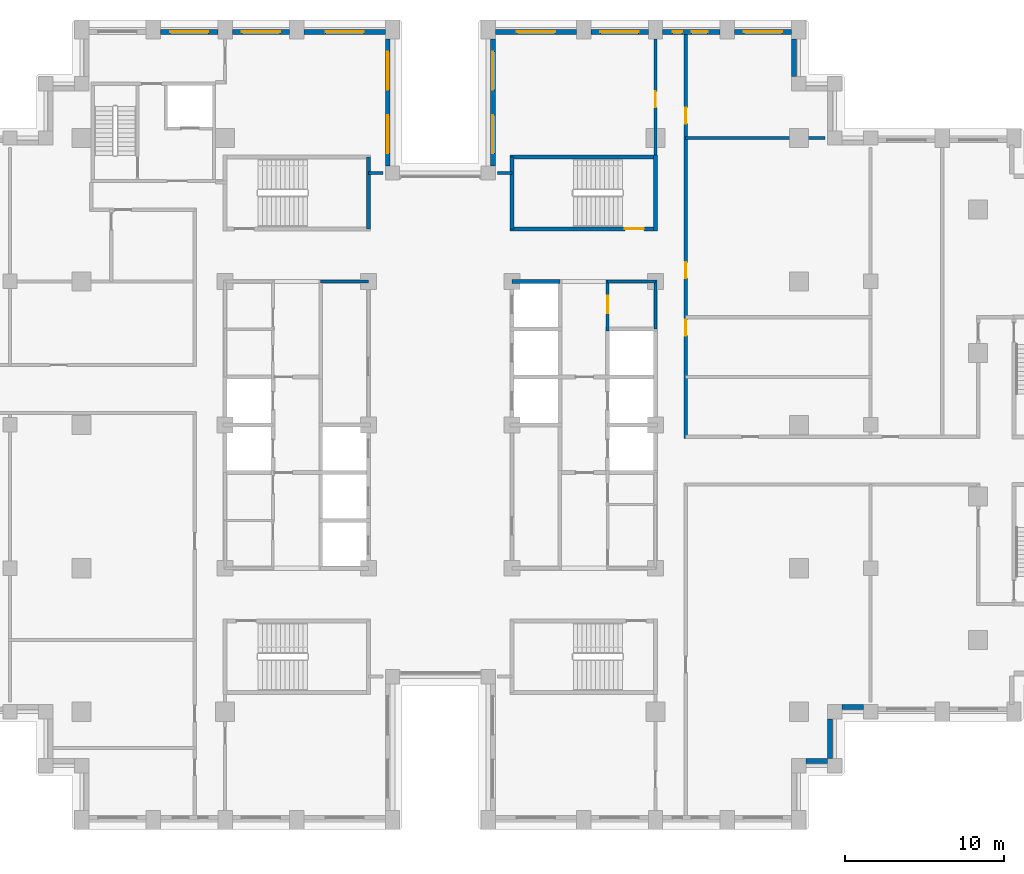
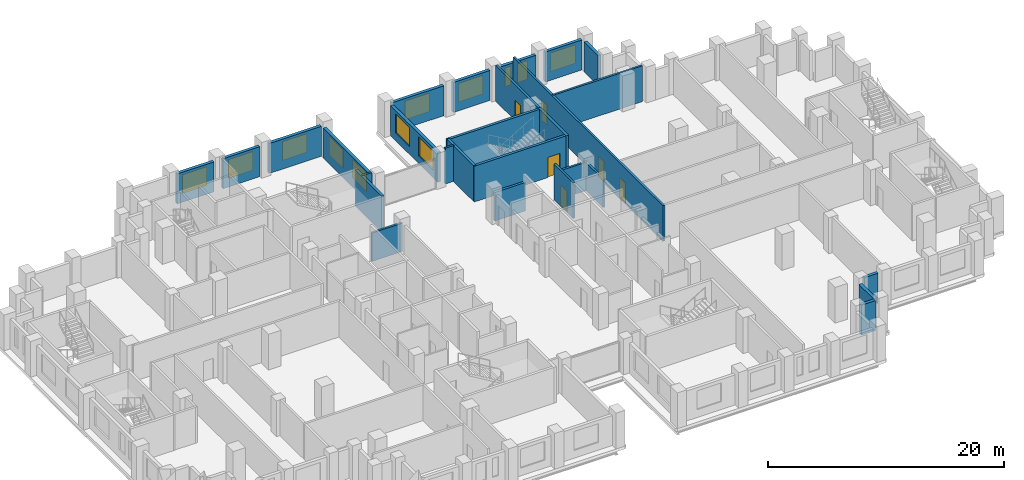
# One storey, part 10 of 15: 28 walls, 12 windows, 6 doors, 18 openings.
"""IFC4 building model written with IfcOpenShell, lengths in metres."""

from ifc_helpers import new_model, si_unit, direction, frame, frame_2d, origin, place, context, subcontext, project, spatial, rectangle, extrude, material, layer, layer_set, type_object, element, fill, save


model = new_model("IFC4")

# Units and contexts
model_context = context("Model", 3, precision=1e-05, world=origin(), true_north=direction((0.0, 1.0)))
body_context = subcontext(model_context, "Body", "Model", "MODEL_VIEW")
ifc_project = project(units=[si_unit("LENGTHUNIT", "METRE"), si_unit("AREAUNIT", "SQUARE_METRE"), si_unit("VOLUMEUNIT", "CUBIC_METRE"), si_unit("PLANEANGLEUNIT", "RADIAN"), si_unit("MASSUNIT", "GRAM", prefix="KILO")], contexts=[model_context])

# Site, building, storey
site_placement = place(None, origin())
site = spatial("IfcSite", under=ifc_project, at=site_placement, CompositionType="ELEMENT")
building_placement = place(site_placement, origin())
building = spatial("IfcBuilding", under=site, at=building_placement, Name="Corbelhall Arena Tower", CompositionType="ELEMENT")
storey_placement = place(building_placement, frame((0.0, 0.0, 80.0)))
storey = spatial("IfcBuildingStorey", under=building, at=storey_placement, Name="L12", CompositionType="ELEMENT", Elevation=80.0)

# Walls
ifc_material_1 = material(Name="Precast concrete C40/50 with granite facing", Category="masonry")
ifc_layer_1 = layer(ifc_material_1, 0.300048828125)
ifc_layer_set_1 = layer_set([ifc_layer_1], Name="EV-IW1 Infill panel 300")
wall_type_1 = type_object("IfcWallType", Name="EV-IW1 Infill panel 300", PredefinedType="SOLIDWALL", material=ifc_layer_set_1)
wall_1_placement = place(storey_placement, frame((22.949951171875, -21.10009765625, 0.0), z_axis=(0.0, 0.0, 1.0), x_axis=(1.0, 0.0, 0.0)))
element("IfcWall", 1, at=wall_1_placement, inside=storey, type_object=wall_type_1, Name="Infill panel IW1", PredefinedType="SOLIDWALL", context=body_context, shape_type="SweptSolid", body=[
    extrude(rectangle(XDim=1.35009765625, YDim=0.300048828125, at=frame_2d((0.675048828125, 0.0))), origin(), (0.0, 0.0, 1.0), 3.10009765625),
])
wall_2_placement = place(storey_placement, frame((24.449951171875, -20.949951171875, 0.0), z_axis=(0.0, 0.0, 1.0), x_axis=(0.0, 1.0, 0.0)))
element("IfcWall", 2, at=wall_2_placement, inside=storey, type_object=wall_type_1, Name="Infill panel IW1", PredefinedType="SOLIDWALL", context=body_context, shape_type="SweptSolid", body=[
    extrude(rectangle(XDim=2.5, YDim=0.300048828125, at=frame_2d((1.25, 0.0))), origin(), (0.0, 0.0, 1.0), 3.10009765625),
])
wall_3_placement = place(storey_placement, frame((25.199951171875, -17.699951171875, 0.0), z_axis=(0.0, 0.0, 1.0), x_axis=(1.0, 0.0, 0.0)))
element("IfcWall", 3, at=wall_3_placement, inside=storey, type_object=wall_type_1, Name="Infill panel IW1", PredefinedType="SOLIDWALL", context=body_context, shape_type="SweptSolid", body=[
    extrude(rectangle(XDim=1.35009765625, YDim=0.300048828125, at=frame_2d((0.675048828125, 0.0))), origin(), (0.0, 0.0, 1.0), 3.10009765625),
])
wall_4_placement = place(storey_placement, frame((22.199951171875, 21.85009765625, 0.0), z_axis=(0.0, 0.0, 1.0), x_axis=(0.0, 1.0, 0.0)))
element("IfcWall", 4, at=wall_4_placement, inside=storey, type_object=wall_type_1, Name="Infill panel IW1", PredefinedType="SOLIDWALL", context=body_context, shape_type="SweptSolid", body=[
    extrude(rectangle(XDim=2.349853515625, YDim=0.300048828125, at=frame_2d((1.1748046875, 0.0))), origin(), (0.0, 0.0, 1.0), 3.10009765625),
])

# Wall, opening, window
wall_5_placement = place(storey_placement, frame((22.050048828125, 24.64990234375, 0.0), z_axis=(0.0, 0.0, 1.0), x_axis=(-1.0, 0.0, 0.0)))
wall_5 = element("IfcWall", 5, at=wall_5_placement, inside=storey, type_object=wall_type_1, Name="Infill panel IW1", PredefinedType="SOLIDWALL", context=body_context, shape_type="SweptSolid", body=[
    extrude(rectangle(XDim=3.60009765625, YDim=0.300048828125, at=frame_2d((1.800048828125, 0.0))), origin(), (0.0, 0.0, 1.0), 3.10009765625),
])
opening_1_placement = place(wall_5_placement, frame((0.60009765625, 0.0, 0.800048828125)))
opening_1 = element("IfcOpeningElement", 6, at=opening_1_placement, cuts=wall_5, Name="Opening WN1", PredefinedType="OPENING", context=body_context, shape_type="SweptSolid", body=[
    extrude(rectangle(XDim=2.39990234375, YDim=1.949951171875, at=frame_2d((1.199951171875, 0.97509765625))), frame((0.0, 0.14990234375, 0.0), z_axis=(0.0, -1.0, 0.0), x_axis=(1.0, 0.0, 0.0)), (0.0, 0.0, 1.0), 0.300048828125),
])
ifc_material_2 = material(Name="Aluminium black anodised", Category="aluminium")
window_type_1 = type_object("IfcWindowType", Name="EV-WN1 Office window", PartitioningType="SINGLE_PANEL", PredefinedType="WINDOW", material=ifc_material_2)
window_1_placement = place(opening_1_placement, origin())
window_1 = element("IfcWindow", 7, at=window_1_placement, inside=storey, type_object=window_type_1, Name="Window WN1", OverallHeight=1.949951171875, OverallWidth=2.39990234375, PartitioningType="SINGLE_PANEL", PredefinedType="WINDOW", context=body_context, shape_type="SweptSolid", body=[
    extrude(rectangle(XDim=2.39990234375, YDim=1.949951171875, at=frame_2d((1.199951171875, 0.97509765625))), frame((0.0, 0.030029296875, 0.0), z_axis=(0.0, -1.0, 0.0), x_axis=(1.0, 0.0, 0.0)), (0.0, 0.0, 1.0), 0.06005859375),
])
fill(opening_1, window_1)

# Wall, openings, windows
wall_6_placement = place(storey_placement, frame((17.550048828125, 24.64990234375, 0.0), z_axis=(0.0, 0.0, 1.0), x_axis=(-1.0, 0.0, 0.0)))
wall_6 = element("IfcWall", 8, at=wall_6_placement, inside=storey, type_object=wall_type_1, Name="Infill panel IW1", PredefinedType="SOLIDWALL", context=body_context, shape_type="SweptSolid", body=[
    extrude(rectangle(XDim=3.60009765625, YDim=0.300048828125, at=frame_2d((1.800048828125, 0.0))), origin(), (0.0, 0.0, 1.0), 3.10009765625),
])
opening_2_placement = place(wall_6_placement, frame((0.77490234375, 0.0, 0.800048828125)))
opening_2 = element("IfcOpeningElement", 9, at=opening_2_placement, cuts=wall_6, Name="Opening WN6", PredefinedType="OPENING", context=body_context, shape_type="SweptSolid", body=[
    extrude(rectangle(XDim=1.0, YDim=1.949951171875, at=frame_2d((0.5, 0.97509765625))), frame((0.0, 0.14990234375, 0.0), z_axis=(0.0, -1.0, 0.0), x_axis=(1.0, 0.0, 0.0)), (0.0, 0.0, 1.0), 0.300048828125),
])
opening_3_placement = place(wall_6_placement, frame((2.375, 0.0, 0.800048828125)))
opening_3 = element("IfcOpeningElement", 10, at=opening_3_placement, cuts=wall_6, Name="Opening WN5", PredefinedType="OPENING", context=body_context, shape_type="SweptSolid", body=[
    extrude(rectangle(XDim=0.60009765625, YDim=1.949951171875, at=frame_2d((0.300048828125, 0.97509765625))), frame((0.0, 0.14990234375, 0.0), z_axis=(0.0, -1.0, 0.0), x_axis=(1.0, 0.0, 0.0)), (0.0, 0.0, 1.0), 0.300048828125),
])
window_type_2 = type_object("IfcWindowType", Name="EV-WN5 Office window 600", PartitioningType="SINGLE_PANEL", PredefinedType="WINDOW", material=ifc_material_2)
window_2_placement = place(opening_3_placement, origin())
window_2 = element("IfcWindow", 11, at=window_2_placement, inside=storey, type_object=window_type_2, Name="Window WN5", OverallHeight=1.949951171875, OverallWidth=0.60009765625, PartitioningType="SINGLE_PANEL", PredefinedType="WINDOW", context=body_context, shape_type="SweptSolid", body=[
    extrude(rectangle(XDim=0.60009765625, YDim=1.949951171875, at=frame_2d((0.300048828125, 0.97509765625))), frame((0.0, 0.030029296875, 0.0), z_axis=(0.0, -1.0, 0.0), x_axis=(1.0, 0.0, 0.0)), (0.0, 0.0, 1.0), 0.06005859375),
])
fill(opening_3, window_2)
window_type_3 = type_object("IfcWindowType", Name="EV-WN6 Office window 1000", PartitioningType="SINGLE_PANEL", PredefinedType="WINDOW", material=ifc_material_2)
window_3_placement = place(opening_2_placement, origin())
window_3 = element("IfcWindow", 12, at=window_3_placement, inside=storey, type_object=window_type_3, Name="Window WN6", OverallHeight=1.949951171875, OverallWidth=1.0, PartitioningType="SINGLE_PANEL", PredefinedType="WINDOW", context=body_context, shape_type="SweptSolid", body=[
    extrude(rectangle(XDim=1.0, YDim=1.949951171875, at=frame_2d((0.5, 0.97509765625))), frame((0.0, 0.030029296875, 0.0), z_axis=(0.0, -1.0, 0.0), x_axis=(1.0, 0.0, 0.0)), (0.0, 0.0, 1.0), 0.06005859375),
])
fill(opening_2, window_3)

# Wall, opening, window
wall_7_placement = place(storey_placement, frame((13.050048828125, 24.64990234375, 0.0), z_axis=(0.0, 0.0, 1.0), x_axis=(-1.0, 0.0, 0.0)))
wall_7 = element("IfcWall", 13, at=wall_7_placement, inside=storey, type_object=wall_type_1, Name="Infill panel IW1", PredefinedType="SOLIDWALL", context=body_context, shape_type="SweptSolid", body=[
    extrude(rectangle(XDim=3.60009765625, YDim=0.300048828125, at=frame_2d((1.800048828125, 0.0))), origin(), (0.0, 0.0, 1.0), 3.10009765625),
])
opening_4_placement = place(wall_7_placement, frame((0.60009765625, 0.0, 0.800048828125)))
opening_4 = element("IfcOpeningElement", 14, at=opening_4_placement, cuts=wall_7, Name="Opening WN1", PredefinedType="OPENING", context=body_context, shape_type="SweptSolid", body=[
    extrude(rectangle(XDim=2.39990234375, YDim=1.949951171875, at=frame_2d((1.199951171875, 0.97509765625))), frame((0.0, 0.14990234375, 0.0), z_axis=(0.0, -1.0, 0.0), x_axis=(1.0, 0.0, 0.0)), (0.0, 0.0, 1.0), 0.300048828125),
])
window_4_placement = place(opening_4_placement, origin())
window_4 = element("IfcWindow", 15, at=window_4_placement, inside=storey, type_object=window_type_1, Name="Window WN1", OverallHeight=1.949951171875, OverallWidth=2.39990234375, PartitioningType="SINGLE_PANEL", PredefinedType="WINDOW", context=body_context, shape_type="SweptSolid", body=[
    extrude(rectangle(XDim=2.39990234375, YDim=1.949951171875, at=frame_2d((1.199951171875, 0.97509765625))), frame((0.0, 0.030029296875, 0.0), z_axis=(0.0, -1.0, 0.0), x_axis=(1.0, 0.0, 0.0)), (0.0, 0.0, 1.0), 0.06005859375),
])
fill(opening_4, window_4)

wall_8_placement = place(storey_placement, frame((8.550048828125, 24.64990234375, 0.0), z_axis=(0.0, 0.0, 1.0), x_axis=(-1.0, 0.0, 0.0)))
wall_8 = element("IfcWall", 16, at=wall_8_placement, inside=storey, type_object=wall_type_1, Name="Infill panel IW1", PredefinedType="SOLIDWALL", context=body_context, shape_type="SweptSolid", body=[
    extrude(rectangle(XDim=5.10009765625, YDim=0.300048828125, at=frame_2d((2.550048828125, 0.0))), origin(), (0.0, 0.0, 1.0), 3.10009765625),
])
opening_5_placement = place(wall_8_placement, frame((1.35009765625, 0.0, 0.800048828125)))
opening_5 = element("IfcOpeningElement", 17, at=opening_5_placement, cuts=wall_8, Name="Opening WN1", PredefinedType="OPENING", context=body_context, shape_type="SweptSolid", body=[
    extrude(rectangle(XDim=2.39990234375, YDim=1.949951171875, at=frame_2d((1.199951171875, 0.97509765625))), frame((0.0, 0.14990234375, 0.0), z_axis=(0.0, -1.0, 0.0), x_axis=(1.0, 0.0, 0.0)), (0.0, 0.0, 1.0), 0.300048828125),
])
window_5_placement = place(opening_5_placement, origin())
window_5 = element("IfcWindow", 18, at=window_5_placement, inside=storey, type_object=window_type_1, Name="Window WN1", OverallHeight=1.949951171875, OverallWidth=2.39990234375, PartitioningType="SINGLE_PANEL", PredefinedType="WINDOW", context=body_context, shape_type="SweptSolid", body=[
    extrude(rectangle(XDim=2.39990234375, YDim=1.949951171875, at=frame_2d((1.199951171875, 0.97509765625))), frame((0.0, 0.030029296875, 0.0), z_axis=(0.0, -1.0, 0.0), x_axis=(1.0, 0.0, 0.0)), (0.0, 0.0, 1.0), 0.06005859375),
])
fill(opening_5, window_5)

# Wall, openings, windows
wall_9_placement = place(storey_placement, frame((3.300048828125, 24.199951171875, 0.0), z_axis=(0.0, 0.0, 1.0), x_axis=(0.0, -1.0, 0.0)))
wall_9 = element("IfcWall", 19, at=wall_9_placement, inside=storey, type_object=wall_type_1, Name="Infill panel IW1", PredefinedType="SOLIDWALL", context=body_context, shape_type="SweptSolid", body=[
    extrude(rectangle(XDim=7.949951171875, YDim=0.300048828125, at=frame_2d((3.97509765625, 0.0))), origin(), (0.0, 0.0, 1.0), 3.10009765625),
])
opening_6_placement = place(wall_9_placement, frame((0.78759765625, 0.0, 0.800048828125)))
opening_6 = element("IfcOpeningElement", 20, at=opening_6_placement, cuts=wall_9, Name="Opening WN1", PredefinedType="OPENING", context=body_context, shape_type="SweptSolid", body=[
    extrude(rectangle(XDim=2.39990234375, YDim=1.949951171875, at=frame_2d((1.199951171875, 0.97509765625))), frame((0.0, 0.14990234375, 0.0), z_axis=(0.0, -1.0, 0.0), x_axis=(1.0, 0.0, 0.0)), (0.0, 0.0, 1.0), 0.300048828125),
])
opening_7_placement = place(wall_9_placement, frame((4.762451171875, 0.0, 0.800048828125)))
opening_7 = element("IfcOpeningElement", 21, at=opening_7_placement, cuts=wall_9, Name="Opening WN1", PredefinedType="OPENING", context=body_context, shape_type="SweptSolid", body=[
    extrude(rectangle(XDim=2.39990234375, YDim=1.949951171875, at=frame_2d((1.199951171875, 0.97509765625))), frame((0.0, 0.14990234375, 0.0), z_axis=(0.0, -1.0, 0.0), x_axis=(1.0, 0.0, 0.0)), (0.0, 0.0, 1.0), 0.300048828125),
])
window_6_placement = place(opening_6_placement, origin())
window_6 = element("IfcWindow", 22, at=window_6_placement, inside=storey, type_object=window_type_1, Name="Window WN1", OverallHeight=1.949951171875, OverallWidth=2.39990234375, PartitioningType="SINGLE_PANEL", PredefinedType="WINDOW", context=body_context, shape_type="SweptSolid", body=[
    extrude(rectangle(XDim=2.39990234375, YDim=1.949951171875, at=frame_2d((1.199951171875, 0.97509765625))), frame((0.0, 0.030029296875, 0.0), z_axis=(0.0, -1.0, 0.0), x_axis=(1.0, 0.0, 0.0)), (0.0, 0.0, 1.0), 0.06005859375),
])
fill(opening_6, window_6)
window_7_placement = place(opening_7_placement, origin())
window_7 = element("IfcWindow", 23, at=window_7_placement, inside=storey, type_object=window_type_1, Name="Window WN1", OverallHeight=1.949951171875, OverallWidth=2.39990234375, PartitioningType="SINGLE_PANEL", PredefinedType="WINDOW", context=body_context, shape_type="SweptSolid", body=[
    extrude(rectangle(XDim=2.39990234375, YDim=1.949951171875, at=frame_2d((1.199951171875, 0.97509765625))), frame((0.0, 0.030029296875, 0.0), z_axis=(0.0, -1.0, 0.0), x_axis=(1.0, 0.0, 0.0)), (0.0, 0.0, 1.0), 0.06005859375),
])
fill(opening_7, window_7)

wall_10_placement = place(storey_placement, frame((-3.300048828125, 16.25, 0.0), z_axis=(0.0, 0.0, 1.0), x_axis=(0.0, 1.0, 0.0)))
wall_10 = element("IfcWall", 24, at=wall_10_placement, inside=storey, type_object=wall_type_1, Name="Infill panel IW1", PredefinedType="SOLIDWALL", context=body_context, shape_type="SweptSolid", body=[
    extrude(rectangle(XDim=7.949951171875, YDim=0.300048828125, at=frame_2d((3.97509765625, 0.0))), origin(), (0.0, 0.0, 1.0), 3.10009765625),
])
opening_8_placement = place(wall_10_placement, frame((0.78759765625, 0.0, 0.800048828125)))
opening_8 = element("IfcOpeningElement", 25, at=opening_8_placement, cuts=wall_10, Name="Opening WN1", PredefinedType="OPENING", context=body_context, shape_type="SweptSolid", body=[
    extrude(rectangle(XDim=2.39990234375, YDim=1.949951171875, at=frame_2d((1.199951171875, 0.97509765625))), frame((0.0, 0.14990234375, 0.0), z_axis=(0.0, -1.0, 0.0), x_axis=(1.0, 0.0, 0.0)), (0.0, 0.0, 1.0), 0.300048828125),
])
opening_9_placement = place(wall_10_placement, frame((4.762451171875, 0.0, 0.800048828125)))
opening_9 = element("IfcOpeningElement", 26, at=opening_9_placement, cuts=wall_10, Name="Opening WN1", PredefinedType="OPENING", context=body_context, shape_type="SweptSolid", body=[
    extrude(rectangle(XDim=2.39990234375, YDim=1.949951171875, at=frame_2d((1.199951171875, 0.97509765625))), frame((0.0, 0.14990234375, 0.0), z_axis=(0.0, -1.0, 0.0), x_axis=(1.0, 0.0, 0.0)), (0.0, 0.0, 1.0), 0.300048828125),
])
window_8_placement = place(opening_8_placement, origin())
window_8 = element("IfcWindow", 27, at=window_8_placement, inside=storey, type_object=window_type_1, Name="Window WN1", OverallHeight=1.949951171875, OverallWidth=2.39990234375, PartitioningType="SINGLE_PANEL", PredefinedType="WINDOW", context=body_context, shape_type="SweptSolid", body=[
    extrude(rectangle(XDim=2.39990234375, YDim=1.949951171875, at=frame_2d((1.199951171875, 0.97509765625))), frame((0.0, 0.030029296875, 0.0), z_axis=(0.0, -1.0, 0.0), x_axis=(1.0, 0.0, 0.0)), (0.0, 0.0, 1.0), 0.06005859375),
])
fill(opening_8, window_8)
window_9_placement = place(opening_9_placement, origin())
window_9 = element("IfcWindow", 28, at=window_9_placement, inside=storey, type_object=window_type_1, Name="Window WN1", OverallHeight=1.949951171875, OverallWidth=2.39990234375, PartitioningType="SINGLE_PANEL", PredefinedType="WINDOW", context=body_context, shape_type="SweptSolid", body=[
    extrude(rectangle(XDim=2.39990234375, YDim=1.949951171875, at=frame_2d((1.199951171875, 0.97509765625))), frame((0.0, 0.030029296875, 0.0), z_axis=(0.0, -1.0, 0.0), x_axis=(1.0, 0.0, 0.0)), (0.0, 0.0, 1.0), 0.06005859375),
])
fill(opening_9, window_9)

# Wall, opening, window
wall_11_placement = place(storey_placement, frame((-3.449951171875, 24.64990234375, 0.0), z_axis=(0.0, 0.0, 1.0), x_axis=(-1.0, 0.0, 0.0)))
wall_11 = element("IfcWall", 29, at=wall_11_placement, inside=storey, type_object=wall_type_1, Name="Infill panel IW1", PredefinedType="SOLIDWALL", context=body_context, shape_type="SweptSolid", body=[
    extrude(rectangle(XDim=5.10009765625, YDim=0.300048828125, at=frame_2d((2.550048828125, 0.0))), origin(), (0.0, 0.0, 1.0), 3.10009765625),
])
opening_10_placement = place(wall_11_placement, frame((1.35009765625, 0.0, 0.800048828125)))
opening_10 = element("IfcOpeningElement", 30, at=opening_10_placement, cuts=wall_11, Name="Opening WN1", PredefinedType="OPENING", context=body_context, shape_type="SweptSolid", body=[
    extrude(rectangle(XDim=2.39990234375, YDim=1.949951171875, at=frame_2d((1.199951171875, 0.97509765625))), frame((0.0, 0.14990234375, 0.0), z_axis=(0.0, -1.0, 0.0), x_axis=(1.0, 0.0, 0.0)), (0.0, 0.0, 1.0), 0.300048828125),
])
window_10_placement = place(opening_10_placement, origin())
window_10 = element("IfcWindow", 31, at=window_10_placement, inside=storey, type_object=window_type_1, Name="Window WN1", OverallHeight=1.949951171875, OverallWidth=2.39990234375, PartitioningType="SINGLE_PANEL", PredefinedType="WINDOW", context=body_context, shape_type="SweptSolid", body=[
    extrude(rectangle(XDim=2.39990234375, YDim=1.949951171875, at=frame_2d((1.199951171875, 0.97509765625))), frame((0.0, 0.030029296875, 0.0), z_axis=(0.0, -1.0, 0.0), x_axis=(1.0, 0.0, 0.0)), (0.0, 0.0, 1.0), 0.06005859375),
])
fill(opening_10, window_10)

wall_12_placement = place(storey_placement, frame((-9.449951171875, 24.64990234375, 0.0), z_axis=(0.0, 0.0, 1.0), x_axis=(-1.0, 0.0, 0.0)))
wall_12 = element("IfcWall", 32, at=wall_12_placement, inside=storey, type_object=wall_type_1, Name="Infill panel IW1", PredefinedType="SOLIDWALL", context=body_context, shape_type="SweptSolid", body=[
    extrude(rectangle(XDim=3.60009765625, YDim=0.300048828125, at=frame_2d((1.800048828125, 0.0))), origin(), (0.0, 0.0, 1.0), 3.10009765625),
])
opening_11_placement = place(wall_12_placement, frame((0.60009765625, 0.0, 0.800048828125)))
opening_11 = element("IfcOpeningElement", 33, at=opening_11_placement, cuts=wall_12, Name="Opening WN1", PredefinedType="OPENING", context=body_context, shape_type="SweptSolid", body=[
    extrude(rectangle(XDim=2.39990234375, YDim=1.949951171875, at=frame_2d((1.199951171875, 0.97509765625))), frame((0.0, 0.14990234375, 0.0), z_axis=(0.0, -1.0, 0.0), x_axis=(1.0, 0.0, 0.0)), (0.0, 0.0, 1.0), 0.300048828125),
])
window_11_placement = place(opening_11_placement, origin())
window_11 = element("IfcWindow", 34, at=window_11_placement, inside=storey, type_object=window_type_1, Name="Window WN1", OverallHeight=1.949951171875, OverallWidth=2.39990234375, PartitioningType="SINGLE_PANEL", PredefinedType="WINDOW", context=body_context, shape_type="SweptSolid", body=[
    extrude(rectangle(XDim=2.39990234375, YDim=1.949951171875, at=frame_2d((1.199951171875, 0.97509765625))), frame((0.0, 0.030029296875, 0.0), z_axis=(0.0, -1.0, 0.0), x_axis=(1.0, 0.0, 0.0)), (0.0, 0.0, 1.0), 0.06005859375),
])
fill(opening_11, window_11)

wall_13_placement = place(storey_placement, frame((-13.949951171875, 24.64990234375, 0.0), z_axis=(0.0, 0.0, 1.0), x_axis=(-1.0, 0.0, 0.0)))
wall_13 = element("IfcWall", 35, at=wall_13_placement, inside=storey, type_object=wall_type_1, Name="Infill panel IW1", PredefinedType="SOLIDWALL", context=body_context, shape_type="SweptSolid", body=[
    extrude(rectangle(XDim=3.60009765625, YDim=0.300048828125, at=frame_2d((1.800048828125, 0.0))), origin(), (0.0, 0.0, 1.0), 3.10009765625),
])
opening_12_placement = place(wall_13_placement, frame((0.60009765625, 0.0, 0.800048828125)))
opening_12 = element("IfcOpeningElement", 36, at=opening_12_placement, cuts=wall_13, Name="Opening WN1", PredefinedType="OPENING", context=body_context, shape_type="SweptSolid", body=[
    extrude(rectangle(XDim=2.39990234375, YDim=1.949951171875, at=frame_2d((1.199951171875, 0.97509765625))), frame((0.0, 0.14990234375, 0.0), z_axis=(0.0, -1.0, 0.0), x_axis=(1.0, 0.0, 0.0)), (0.0, 0.0, 1.0), 0.300048828125),
])
window_12_placement = place(opening_12_placement, origin())
window_12 = element("IfcWindow", 37, at=window_12_placement, inside=storey, type_object=window_type_1, Name="Window WN1", OverallHeight=1.949951171875, OverallWidth=2.39990234375, PartitioningType="SINGLE_PANEL", PredefinedType="WINDOW", context=body_context, shape_type="SweptSolid", body=[
    extrude(rectangle(XDim=2.39990234375, YDim=1.949951171875, at=frame_2d((1.199951171875, 0.97509765625))), frame((0.0, 0.030029296875, 0.0), z_axis=(0.0, -1.0, 0.0), x_axis=(1.0, 0.0, 0.0)), (0.0, 0.0, 1.0), 0.06005859375),
])
fill(opening_12, window_12)

# Walls
ifc_material_3 = material(Name="Gypsum board on steel stud, acoustic", Category="steel")
ifc_layer_2 = layer(ifc_material_3, 0.199951171875)
ifc_layer_set_2 = layer_set([ifc_layer_2], Name="IN-W-DM200")
wall_type_2 = type_object("IfcWallType", Name="IN-W-DM200", PredefinedType="PARTITIONING", material=ifc_layer_set_2)
for number, where, z_axis, x_axis, name in (
    (38, (-4.5, 15.800048828125, 0.0), (0.0, 0.0, 1.0), (1.0, 0.0, 0.0), "Partition 022"),
    (39, (3.60009765625, 15.800048828125, 0.0), (0.0, 0.0, 1.0), (1.0, 0.0, 0.0), "Partition 024"),
):
    element("IfcWall", number, at=place(storey_placement, frame(where, z_axis=z_axis, x_axis=x_axis)), inside=storey, type_object=wall_type_2, Name=name, PredefinedType="PARTITIONING", context=body_context, shape_type="SweptSolid", body=[
        extrude(rectangle(XDim=0.89990234375, YDim=0.199951171875, at=frame_2d((0.449951171875, 0.0))), origin(), (0.0, 0.0, 1.0), 3.699951171875),
    ])

# Wall, opening, door
wall_14_placement = place(storey_placement, frame((13.5, 16.675048828125, 0.0), z_axis=(0.0, 0.0, 1.0), x_axis=(0.0, 1.0, 0.0)))
wall_14 = element("IfcWall", 40, at=wall_14_placement, inside=storey, type_object=wall_type_2, Name="Partition 027", PredefinedType="PARTITIONING", context=body_context, shape_type="SweptSolid", body=[
    extrude(rectangle(XDim=7.52490234375, YDim=0.199951171875, at=frame_2d((3.762451171875, 0.0))), origin(), (0.0, 0.0, 1.0), 3.699951171875),
])
opening_13_placement = place(wall_14_placement, frame((3.25, 0.0, 0.0)))
opening_13 = element("IfcOpeningElement", 41, at=opening_13_placement, cuts=wall_14, Name="Opening 02023", PredefinedType="OPENING", context=body_context, shape_type="SweptSolid", body=[
    extrude(rectangle(XDim=1.0, YDim=2.10009765625, at=frame_2d((0.5, 1.050048828125))), frame((0.0, 0.10009765625, 0.0), z_axis=(0.0, -1.0, 0.0), x_axis=(1.0, 0.0, 0.0)), (0.0, 0.0, 1.0), 0.199951171875),
])
ifc_material_4 = material(Name="Steel door set", Category="steel")
door_type_1 = type_object("IfcDoorType", Name="IN-D-SW100", OperationType="NOTDEFINED", PredefinedType="DOOR", material=ifc_material_4)
door_1_placement = place(opening_13_placement, origin())
door_1 = element("IfcDoor", 42, at=door_1_placement, inside=storey, type_object=door_type_1, Name="Door 023", OperationType="SINGLE_SWING_RIGHT", OverallHeight=2.10009765625, OverallWidth=1.0, PredefinedType="DOOR", context=body_context, shape_type="SweptSolid", body=[
    extrude(rectangle(XDim=1.0, YDim=2.10009765625, at=frame_2d((0.5, 1.050048828125))), frame((0.0, 0.02490234375, 0.0), z_axis=(0.0, -1.0, 0.0), x_axis=(1.0, 0.0, 0.0)), (0.0, 0.0, 1.0), 0.050048828125),
])
fill(opening_13, door_1)

# Wall, openings, doors
wall_15_placement = place(storey_placement, frame((15.39990234375, 24.5, 0.0), z_axis=(0.0, 0.0, 1.0), x_axis=(0.0, -1.0, 0.0)))
wall_15 = element("IfcWall", 43, at=wall_15_placement, inside=storey, type_object=wall_type_2, Name="Partition 031", PredefinedType="PARTITIONING", context=body_context, shape_type="SweptSolid", body=[
    extrude(rectangle(XDim=25.35009765625, YDim=0.199951171875, at=frame_2d((12.675048828125, 0.0))), origin(), (0.0, 0.0, 1.0), 3.699951171875),
])
opening_14_placement = place(wall_15_placement, frame((17.89990234375, 0.0, 0.0)))
opening_14 = element("IfcOpeningElement", 44, at=opening_14_placement, cuts=wall_15, Name="Opening 02033", PredefinedType="OPENING", context=body_context, shape_type="SweptSolid", body=[
    extrude(rectangle(XDim=1.0, YDim=2.10009765625, at=frame_2d((0.5, 1.050048828125))), frame((0.0, 0.10009765625, 0.0), z_axis=(0.0, -1.0, 0.0), x_axis=(1.0, 0.0, 0.0)), (0.0, 0.0, 1.0), 0.199951171875),
])
opening_15_placement = place(wall_15_placement, frame((14.300048828125, 0.0, 0.0)))
opening_15 = element("IfcOpeningElement", 45, at=opening_15_placement, cuts=wall_15, Name="Opening 02034", PredefinedType="OPENING", context=body_context, shape_type="SweptSolid", body=[
    extrude(rectangle(XDim=1.0, YDim=2.10009765625, at=frame_2d((0.5, 1.050048828125))), frame((0.0, 0.10009765625, 0.0), z_axis=(0.0, -1.0, 0.0), x_axis=(1.0, 0.0, 0.0)), (0.0, 0.0, 1.0), 0.199951171875),
])
opening_16_placement = place(wall_15_placement, frame((4.60009765625, 0.0, 0.0)))
opening_16 = element("IfcOpeningElement", 46, at=opening_16_placement, cuts=wall_15, Name="Opening 02035", PredefinedType="OPENING", context=body_context, shape_type="SweptSolid", body=[
    extrude(rectangle(XDim=1.0, YDim=2.10009765625, at=frame_2d((0.5, 1.050048828125))), frame((0.0, 0.10009765625, 0.0), z_axis=(0.0, -1.0, 0.0), x_axis=(1.0, 0.0, 0.0)), (0.0, 0.0, 1.0), 0.199951171875),
])
door_2_placement = place(opening_14_placement, origin())
door_2 = element("IfcDoor", 47, at=door_2_placement, inside=storey, type_object=door_type_1, Name="Door 033", OperationType="SINGLE_SWING_RIGHT", OverallHeight=2.10009765625, OverallWidth=1.0, PredefinedType="DOOR", context=body_context, shape_type="SweptSolid", body=[
    extrude(rectangle(XDim=1.0, YDim=2.10009765625, at=frame_2d((0.5, 1.050048828125))), frame((0.0, 0.02490234375, 0.0), z_axis=(0.0, -1.0, 0.0), x_axis=(1.0, 0.0, 0.0)), (0.0, 0.0, 1.0), 0.050048828125),
])
fill(opening_14, door_2)
door_3_placement = place(opening_15_placement, origin())
door_3 = element("IfcDoor", 48, at=door_3_placement, inside=storey, type_object=door_type_1, Name="Door 034", OperationType="SINGLE_SWING_LEFT", OverallHeight=2.10009765625, OverallWidth=1.0, PredefinedType="DOOR", context=body_context, shape_type="SweptSolid", body=[
    extrude(rectangle(XDim=1.0, YDim=2.10009765625, at=frame_2d((0.5, 1.050048828125))), frame((0.0, 0.02490234375, 0.0), z_axis=(0.0, -1.0, 0.0), x_axis=(1.0, 0.0, 0.0)), (0.0, 0.0, 1.0), 0.050048828125),
])
fill(opening_15, door_3)
door_4_placement = place(opening_16_placement, origin())
door_4 = element("IfcDoor", 49, at=door_4_placement, inside=storey, type_object=door_type_1, Name="Door 035", OperationType="SINGLE_SWING_RIGHT", OverallHeight=2.10009765625, OverallWidth=1.0, PredefinedType="DOOR", context=body_context, shape_type="SweptSolid", body=[
    extrude(rectangle(XDim=1.0, YDim=2.10009765625, at=frame_2d((0.5, 1.050048828125))), frame((0.0, 0.02490234375, 0.0), z_axis=(0.0, -1.0, 0.0), x_axis=(1.0, 0.0, 0.0)), (0.0, 0.0, 1.0), 0.050048828125),
])
fill(opening_16, door_4)

# Wall
wall_16_placement = place(storey_placement, frame((15.39990234375, 18.0, 0.0), z_axis=(0.0, 0.0, 1.0), x_axis=(1.0, 0.0, 0.0)))
element("IfcWall", 50, at=wall_16_placement, inside=storey, type_object=wall_type_2, Name="Partition 033", PredefinedType="PARTITIONING", context=body_context, shape_type="SweptSolid", body=[
    extrude(rectangle(XDim=8.75, YDim=0.199951171875, at=frame_2d((4.375, 0.0))), origin(), (0.0, 0.0, 1.0), 3.699951171875),
])

# Wall, opening, door
ifc_material_5 = material(Name="Concrete block wall", Category="concrete")
ifc_layer_3 = layer(ifc_material_5, 0.199951171875)
ifc_layer_set_3 = layer_set([ifc_layer_3], Name="IN-W-RS200")
wall_type_3 = type_object("IfcWallType", Name="IN-W-RS200", PredefinedType="SOLIDWALL", material=ifc_layer_set_3)
wall_17_placement = place(storey_placement, frame((10.5, 9.10009765625, 0.0), z_axis=(0.0, 0.0, 1.0), x_axis=(0.0, -1.0, 0.0)))
wall_17 = element("IfcWall", 51, at=wall_17_placement, inside=storey, type_object=wall_type_3, Name="Partition 055", PredefinedType="SOLIDWALL", context=body_context, shape_type="SweptSolid", body=[
    extrude(rectangle(XDim=3.22509765625, YDim=0.199951171875, at=frame_2d((1.612548828125, 0.0))), origin(), (0.0, 0.0, 1.0), 3.699951171875),
])
opening_17_placement = place(wall_17_placement, frame((1.0, 0.0, 0.0)))
opening_17 = element("IfcOpeningElement", 52, at=opening_17_placement, cuts=wall_17, Name="Opening 02013", PredefinedType="OPENING", context=body_context, shape_type="SweptSolid", body=[
    extrude(rectangle(XDim=1.10009765625, YDim=2.10009765625, at=frame_2d((0.550048828125, 1.050048828125))), frame((0.0, 0.10009765625, 0.0), z_axis=(0.0, -1.0, 0.0), x_axis=(1.0, 0.0, 0.0)), (0.0, 0.0, 1.0), 0.199951171875),
])
door_type_2 = type_object("IfcDoorType", Name="IN-D-FD110", OperationType="NOTDEFINED", PredefinedType="DOOR", material=ifc_material_4)
door_5_placement = place(opening_17_placement, origin())
door_5 = element("IfcDoor", 53, at=door_5_placement, inside=storey, type_object=door_type_2, Name="Door 013", OperationType="SINGLE_SWING_RIGHT", OverallHeight=2.10009765625, OverallWidth=1.10009765625, PredefinedType="DOOR", context=body_context, shape_type="SweptSolid", body=[
    extrude(rectangle(XDim=1.10009765625, YDim=2.10009765625, at=frame_2d((0.550048828125, 1.050048828125))), frame((0.0, 0.02490234375, 0.0), z_axis=(0.0, -1.0, 0.0), x_axis=(1.0, 0.0, 0.0)), (0.0, 0.0, 1.0), 0.050048828125),
])
fill(opening_17, door_5)

# Walls
ifc_layer_4 = layer(ifc_material_5, 0.199951171875)
ifc_layer_set_4 = layer_set([ifc_layer_4], Name="IN-W-RS200 under beam 762 mm")
wall_type_4 = type_object("IfcWallType", Name="IN-W-RS200 under beam 762 mm", PredefinedType="SOLIDWALL", material=ifc_layer_set_4)
for number, where, z_axis, x_axis, name in (
    (54, (-7.5, 9.0, 0.0), (0.0, 0.0, 1.0), (1.0, 0.0, 0.0), "Partition 048"),
    (55, (10.5, 9.0, 0.0), (0.0, 0.0, 1.0), (1.0, 0.0, 0.0), "Partition 054"),
):
    element("IfcWall", number, at=place(storey_placement, frame(where, z_axis=z_axis, x_axis=x_axis)), inside=storey, type_object=wall_type_4, Name=name, PredefinedType="SOLIDWALL", context=body_context, shape_type="SweptSolid", body=[
        extrude(rectangle(XDim=3.0, YDim=0.199951171875, at=frame_2d((1.5, 0.0))), origin(), (0.0, 0.0, 1.0), 2.93798828125),
    ])
wall_18_placement = place(storey_placement, frame((13.5, 9.10009765625, 0.0), z_axis=(0.0, 0.0, 1.0), x_axis=(0.0, -1.0, 0.0)))
element("IfcWall", 56, at=wall_18_placement, inside=storey, type_object=wall_type_4, Name="Partition 057", PredefinedType="SOLIDWALL", context=body_context, shape_type="SweptSolid", body=[
    extrude(rectangle(XDim=3.10009765625, YDim=0.199951171875, at=frame_2d((1.550048828125, 0.0))), origin(), (0.0, 0.0, 1.0), 2.93798828125),
])
ifc_material_6 = material(Name="Concrete C40/50", Category="concrete")
ifc_layer_5 = layer(ifc_material_6, 0.25)
ifc_layer_set_5 = layer_set([ifc_layer_5], Name="IN-W-SH250 under beam 762 mm")
wall_type_5 = type_object("IfcWallType", Name="IN-W-SH250 under beam 762 mm", PredefinedType="SOLIDWALL", material=ifc_layer_set_5)
wall_19_placement = place(storey_placement, frame((4.5, 9.0, 0.0), z_axis=(0.0, 0.0, 1.0), x_axis=(1.0, 0.0, 0.0)))
element("IfcWall", 57, at=wall_19_placement, inside=storey, type_object=wall_type_5, Name="Shaft wall 072", PredefinedType="SOLIDWALL", context=body_context, shape_type="SweptSolid", body=[
    extrude(rectangle(XDim=3.0, YDim=0.25, at=frame_2d((1.5, 0.0))), origin(), (0.0, 0.0, 1.0), 2.93798828125),
])
ifc_layer_6 = layer(ifc_material_6, 0.25)
ifc_layer_set_6 = layer_set([ifc_layer_6], Name="IN-W-ST250")
wall_type_6 = type_object("IfcWallType", Name="IN-W-ST250", PredefinedType="SOLIDWALL", material=ifc_layer_set_6)
wall_20_placement = place(storey_placement, frame((-4.5, 16.800048828125, 0.0), z_axis=(0.0, 0.0, 1.0), x_axis=(0.0, -1.0, 0.0)))
element("IfcWall", 58, at=wall_20_placement, inside=storey, type_object=wall_type_6, Name="Shaft wall 091", PredefinedType="SOLIDWALL", context=body_context, shape_type="SweptSolid", body=[
    extrude(rectangle(XDim=4.5, YDim=0.25, at=frame_2d((2.25, 0.0))), origin(), (0.0, 0.0, 1.0), 3.699951171875),
])

# Wall, opening, door
wall_21_placement = place(storey_placement, frame((4.375, 12.300048828125, 0.0), z_axis=(0.0, 0.0, 1.0), x_axis=(1.0, 0.0, 0.0)))
wall_21 = element("IfcWall", 59, at=wall_21_placement, inside=storey, type_object=wall_type_6, Name="Shaft wall 093", PredefinedType="SOLIDWALL", context=body_context, shape_type="SweptSolid", body=[
    extrude(rectangle(XDim=9.125, YDim=0.25, at=frame_2d((4.5625, 0.0))), origin(), (0.0, 0.0, 1.0), 3.699951171875),
])
opening_18_placement = place(wall_21_placement, frame((7.199951171875, 0.0, 0.0)))
opening_18 = element("IfcOpeningElement", 60, at=opening_18_placement, cuts=wall_21, Name="Opening 02016", PredefinedType="OPENING", context=body_context, shape_type="SweptSolid", body=[
    extrude(rectangle(XDim=1.199951171875, YDim=2.10009765625, at=frame_2d((0.60009765625, 1.050048828125))), frame((0.0, 0.125, 0.0), z_axis=(0.0, -1.0, 0.0), x_axis=(1.0, 0.0, 0.0)), (0.0, 0.0, 1.0), 0.25),
])
door_type_3 = type_object("IfcDoorType", Name="IN-D-ST120", OperationType="NOTDEFINED", PredefinedType="DOOR", material=ifc_material_4)
door_6_placement = place(opening_18_placement, origin())
door_6 = element("IfcDoor", 61, at=door_6_placement, inside=storey, type_object=door_type_3, Name="Door 016", OperationType="SINGLE_SWING_LEFT", OverallHeight=2.10009765625, OverallWidth=1.199951171875, PredefinedType="DOOR", context=body_context, shape_type="SweptSolid", body=[
    extrude(rectangle(XDim=1.199951171875, YDim=2.10009765625, at=frame_2d((0.60009765625, 1.050048828125))), frame((0.0, 0.02490234375, 0.0), z_axis=(0.0, -1.0, 0.0), x_axis=(1.0, 0.0, 0.0)), (0.0, 0.0, 1.0), 0.050048828125),
])
fill(opening_18, door_6)

# Walls
wall_22_placement = place(storey_placement, frame((4.375, 16.800048828125, 0.0), z_axis=(0.0, 0.0, 1.0), x_axis=(1.0, 0.0, 0.0)))
element("IfcWall", 62, at=wall_22_placement, inside=storey, type_object=wall_type_6, Name="Shaft wall 094", PredefinedType="SOLIDWALL", context=body_context, shape_type="SweptSolid", body=[
    extrude(rectangle(XDim=9.125, YDim=0.25, at=frame_2d((4.5625, 0.0))), origin(), (0.0, 0.0, 1.0), 3.699951171875),
])
wall_23_placement = place(storey_placement, frame((4.5, 12.300048828125, 0.0), z_axis=(0.0, 0.0, 1.0), x_axis=(0.0, 1.0, 0.0)))
element("IfcWall", 63, at=wall_23_placement, inside=storey, type_object=wall_type_6, Name="Shaft wall 096", PredefinedType="SOLIDWALL", context=body_context, shape_type="SweptSolid", body=[
    extrude(rectangle(XDim=4.5, YDim=0.25, at=frame_2d((2.25, 0.0))), origin(), (0.0, 0.0, 1.0), 3.699951171875),
])
wall_24_placement = place(storey_placement, frame((13.5, 12.175048828125, 0.0), z_axis=(0.0, 0.0, 1.0), x_axis=(0.0, 1.0, 0.0)))
element("IfcWall", 64, at=wall_24_placement, inside=storey, type_object=wall_type_6, Name="Shaft wall 100", PredefinedType="SOLIDWALL", context=body_context, shape_type="SweptSolid", body=[
    extrude(rectangle(XDim=4.75, YDim=0.25, at=frame_2d((2.375, 0.0))), origin(), (0.0, 0.0, 1.0), 3.699951171875),
])

save(model, "model.ifc")
